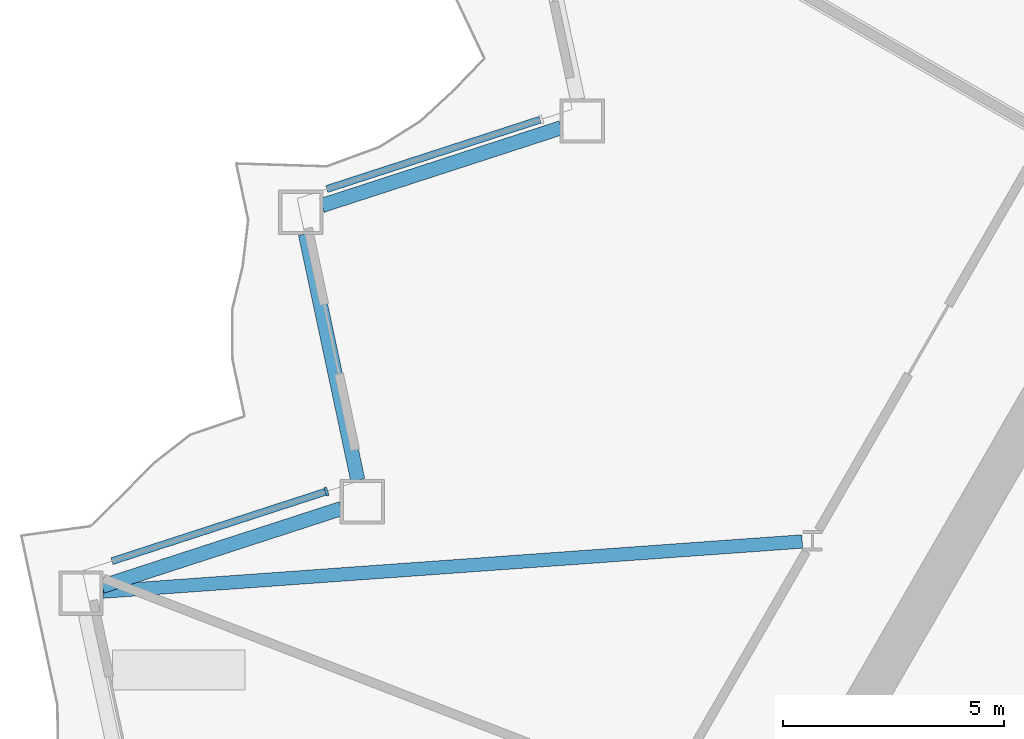
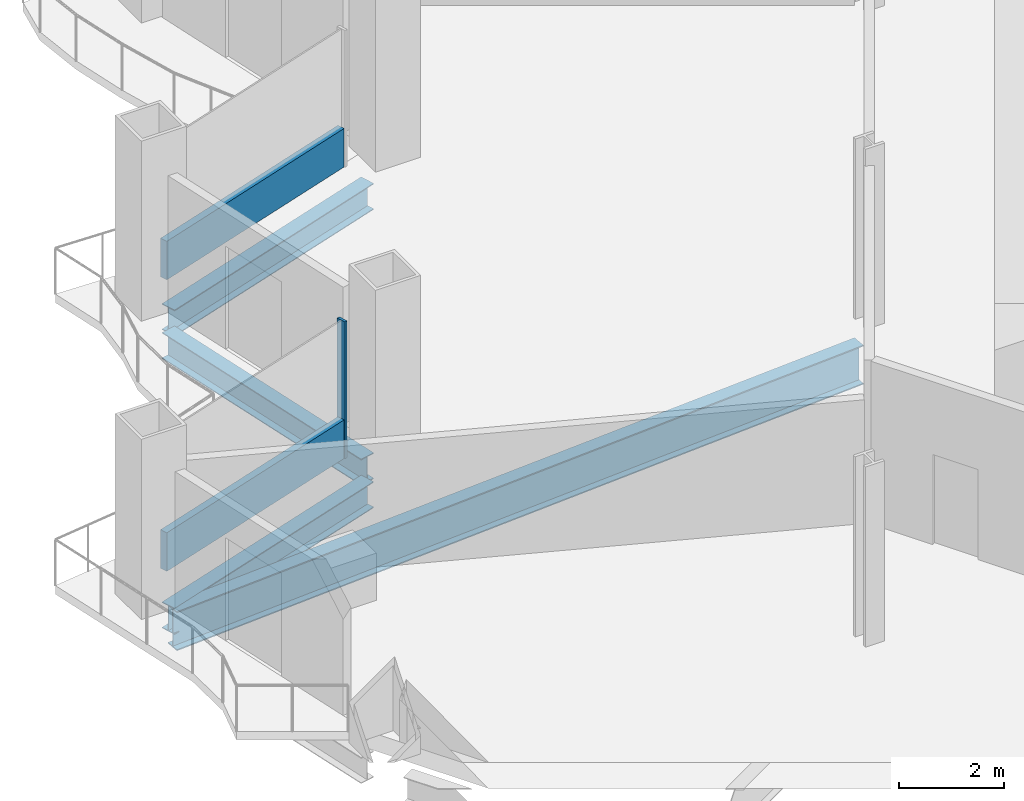
# One storey, part 3 of 21: 4 beams, 3 members, 2 elements without a shape of their own.
"""IFC4 building model written with IfcOpenShell, lengths in metres."""

from ifc_helpers import new_model, si_unit, direction, frame, origin, origin_2d, place, context, subcontext, project, spatial, rectangle, i_section, extrude, material, layer, layer_set, material_profile, profile_set, type_object, element, aggregate, save


model = new_model("IFC4")

# Units and contexts
model_context = context("Model", 3, precision=1e-05, world=origin(), true_north=direction((0.0, 1.0)))
body_context = subcontext(model_context, "Body", "Model", "MODEL_VIEW")
ifc_project = project(units=[si_unit("LENGTHUNIT", "METRE"), si_unit("AREAUNIT", "SQUARE_METRE"), si_unit("VOLUMEUNIT", "CUBIC_METRE"), si_unit("PLANEANGLEUNIT", "RADIAN"), si_unit("MASSUNIT", "GRAM", prefix="KILO")], contexts=[model_context])

# Site, building, storey
site_placement = place(None, origin())
site = spatial("IfcSite", under=ifc_project, at=site_placement, CompositionType="ELEMENT")
building_placement = place(site_placement, origin())
building = spatial("IfcBuilding", under=site, at=building_placement, Name="Cormorant Prow Tower", CompositionType="ELEMENT")
storey_placement = place(building_placement, frame((0.0, 0.0, 42.60009765625)))
storey = spatial("IfcBuildingStorey", under=building, at=storey_placement, Name="L08", CompositionType="ELEMENT", Elevation=42.60009765625)

# Curtain wall, member
ifc_material_1 = material(Name="Aluminium 6063-T6", Category="aluminium")
ifc_layer = layer(ifc_material_1, 0.199951171875)
ifc_layer_set = layer_set([ifc_layer], Name="Aluminium 6063-T6")
curtain_wall_type = type_object("IfcCurtainWallType", Name="Office unitised curtain wall 200", PredefinedType="NOTDEFINED", material=ifc_layer_set)
curtain_wall_1_placement = place(storey_placement, origin())
curtain_wall_1 = element("IfcCurtainWall", 1, at=curtain_wall_1_placement, inside=storey, type_object=curtain_wall_type, Name="Office curtain wall WNW08", PredefinedType="NOTDEFINED")
ifc_material_2 = material(Name="Aluminium 6063-T6", Category="aluminium")
ifc_material_profile_1 = material_profile(ifc_material_2, rectangle(XDim=0.199951171875, YDim=0.06005859375, at=origin_2d()), Name="Office mullion 60x200")
ifc_profile_set_1 = profile_set([ifc_material_profile_1], Name="Aluminium 6063-T6")
member_type_1 = type_object("IfcMemberType", Name="Office mullion 60x200", PredefinedType="MULLION", material=ifc_profile_set_1)
member_1_placement = place(storey_placement, frame((-26.844482421875, -1.9404296875, 0.0), z_axis=(0.0, 0.0, 1.0), x_axis=(0.309016892008, -0.951056549556, 0.0)))
member_1 = element("IfcMember", 2, at=member_1_placement, type_object=member_type_1, Name="Office mullion WNW08", PredefinedType="MULLION", context=body_context, shape_type="SweptSolid", body=[
    extrude(rectangle(XDim=0.199951171875, YDim=0.06005859375, at=origin_2d()), origin(), (0.0, 0.0, 1.0), 3.188720703125),
])

curtain_wall_2_placement = place(storey_placement, origin())
curtain_wall_2 = element("IfcCurtainWall", 3, at=curtain_wall_2_placement, inside=storey, type_object=curtain_wall_type, Name="Office curtain wall WNW06", PredefinedType="NOTDEFINED")
ifc_material_3 = material(Name="Terracotta", Category="masonry")
ifc_material_profile_2 = material_profile(ifc_material_3, rectangle(XDim=0.159912109375, YDim=0.89990234375, at=origin_2d()), Name="Office terracotta spandrel rail 160x900")
ifc_profile_set_2 = profile_set([ifc_material_profile_2], Name="Terracotta")
member_type_2 = type_object("IfcMemberType", Name="Office terracotta spandrel rail 160x900", PredefinedType="USERDEFINED", material=ifc_profile_set_2)
member_2_placement = place(storey_placement, frame((-22.020263671875, 6.455322265625, 0.449951171875), z_axis=(-0.951052135892, -0.309030475545, 0.0), x_axis=(0.309030475545, -0.951052135892, 0.0)))
member_2 = element("IfcMember", 4, at=member_2_placement, type_object=member_type_2, Name="Office spandrel rail WNW06", ObjectType="TRANSOM", PredefinedType="USERDEFINED", context=body_context, shape_type="SweptSolid", body=[
    extrude(rectangle(XDim=0.159912109375, YDim=0.89990234375, at=origin_2d()), origin(), (0.0, 0.0, 1.0), 5.06396484375),
])
aggregate(curtain_wall_2, [member_2])

# Member
member_3_placement = place(storey_placement, frame((-26.873046875, -1.94970703125, 0.449951171875), z_axis=(-0.951047531463, -0.309044645477, 0.0), x_axis=(0.309044645477, -0.951047531463, 0.0)))
member_3 = element("IfcMember", 5, at=member_3_placement, type_object=member_type_2, Name="Office spandrel rail WNW08", ObjectType="TRANSOM", PredefinedType="USERDEFINED", context=body_context, shape_type="SweptSolid", body=[
    extrude(rectangle(XDim=0.159912109375, YDim=0.89990234375, at=origin_2d()), origin(), (0.0, 0.0, 1.0), 5.063720703125),
])

aggregate(curtain_wall_1, [member_1, member_3])

# Beams
ifc_material_4 = material(Name="Structural steel ASTM A992 Gr 50", Category="steel")
ifc_material_profile_3 = material_profile(ifc_material_4, i_section(OverallWidth=0.3046875, OverallDepth=0.914794921875, WebThickness=0.0166015625, FlangeThickness=0.02587890625, at=origin_2d()), Name="W36x160")
ifc_profile_set_3 = profile_set([ifc_material_profile_3], Name="Structural steel ASTM A992 Gr 50")
beam_type_1 = type_object("IfcBeamType", Name="Radial floor beam W36x160", PredefinedType="BEAM", material=ifc_profile_set_3)
beam_1_placement = place(storey_placement, frame((-16.099365234375, -3.0703125, -0.857421875), z_axis=(-0.997443412532, -0.071460750045, 0.0), x_axis=(0.071460750045, -0.997443412532, 0.0)))
element("IfcBeam", 6, at=beam_1_placement, inside=storey, type_object=beam_type_1, Name="Radial floor beam FB1 4 L08", PredefinedType="BEAM", context=body_context, shape_type="SweptSolid", body=[
    extrude(i_section(OverallWidth=0.3046875, OverallDepth=0.914794921875, WebThickness=0.0166015625, FlangeThickness=0.02587890625, at=origin_2d()), origin(), (0.0, 0.0, 1.0), 15.831787109375),
])
ifc_material_5 = material(Name="Structural steel ASTM A992 Gr 50", Category="steel")
ifc_material_profile_4 = material_profile(ifc_material_5, i_section(OverallWidth=0.32373046875, OverallDepth=0.611083984375, WebThickness=0.0126953125, FlangeThickness=0.01904296875, at=origin_2d()), Name="W24x104")
ifc_profile_set_4 = profile_set([ifc_material_profile_4], Name="Structural steel ASTM A992 Gr 50")
beam_type_2 = type_object("IfcBeamType", Name="Spandrel beam W24x104", PredefinedType="SPANDREL", material=ifc_profile_set_4)
beam_2_placement = place(storey_placement, frame((-21.54345703125, 6.274658203125, -0.70556640625), z_axis=(-0.951061849722, -0.309000579292, 0.0), x_axis=(0.309000579292, -0.951061849722, 0.0)))
element("IfcBeam", 7, at=beam_2_placement, inside=storey, type_object=beam_type_2, Name="Spandrel beam SB1 WNW06-WNW07 L08", PredefinedType="SPANDREL", context=body_context, shape_type="SweptSolid", body=[
    extrude(i_section(OverallWidth=0.32373046875, OverallDepth=0.611083984375, WebThickness=0.0126953125, FlangeThickness=0.01904296875, at=origin_2d()), origin(), (0.0, 0.0, 1.0), 5.682373046875),
])
beam_3_placement = place(storey_placement, frame((-27.3193359375, 3.875244140625, -0.70556640625), z_axis=(0.207900376723, -0.97815000555, 0.0), x_axis=(0.97815000555, 0.207900376723, 0.0)))
element("IfcBeam", 8, at=beam_3_placement, inside=storey, type_object=beam_type_2, Name="Spandrel beam SB1 WNW07-WNW08 L08", PredefinedType="SPANDREL", context=body_context, shape_type="SweptSolid", body=[
    extrude(i_section(OverallWidth=0.32373046875, OverallDepth=0.611083984375, WebThickness=0.0126953125, FlangeThickness=0.01904296875, at=origin_2d()), origin(), (0.0, 0.0, 1.0), 5.6826171875),
])
beam_4_placement = place(storey_placement, frame((-26.509521484375, -2.32666015625, -0.70556640625), z_axis=(-0.951049222751, -0.309039440696, 0.0), x_axis=(0.309039440696, -0.951049222751, 0.0)))
element("IfcBeam", 9, at=beam_4_placement, inside=storey, type_object=beam_type_2, Name="Spandrel beam SB1 WNW08-WNW09 L08", PredefinedType="SPANDREL", context=body_context, shape_type="SweptSolid", body=[
    extrude(i_section(OverallWidth=0.32373046875, OverallDepth=0.611083984375, WebThickness=0.0126953125, FlangeThickness=0.01904296875, at=origin_2d()), origin(), (0.0, 0.0, 1.0), 5.682373046875),
])

save(model, "model.ifc")
